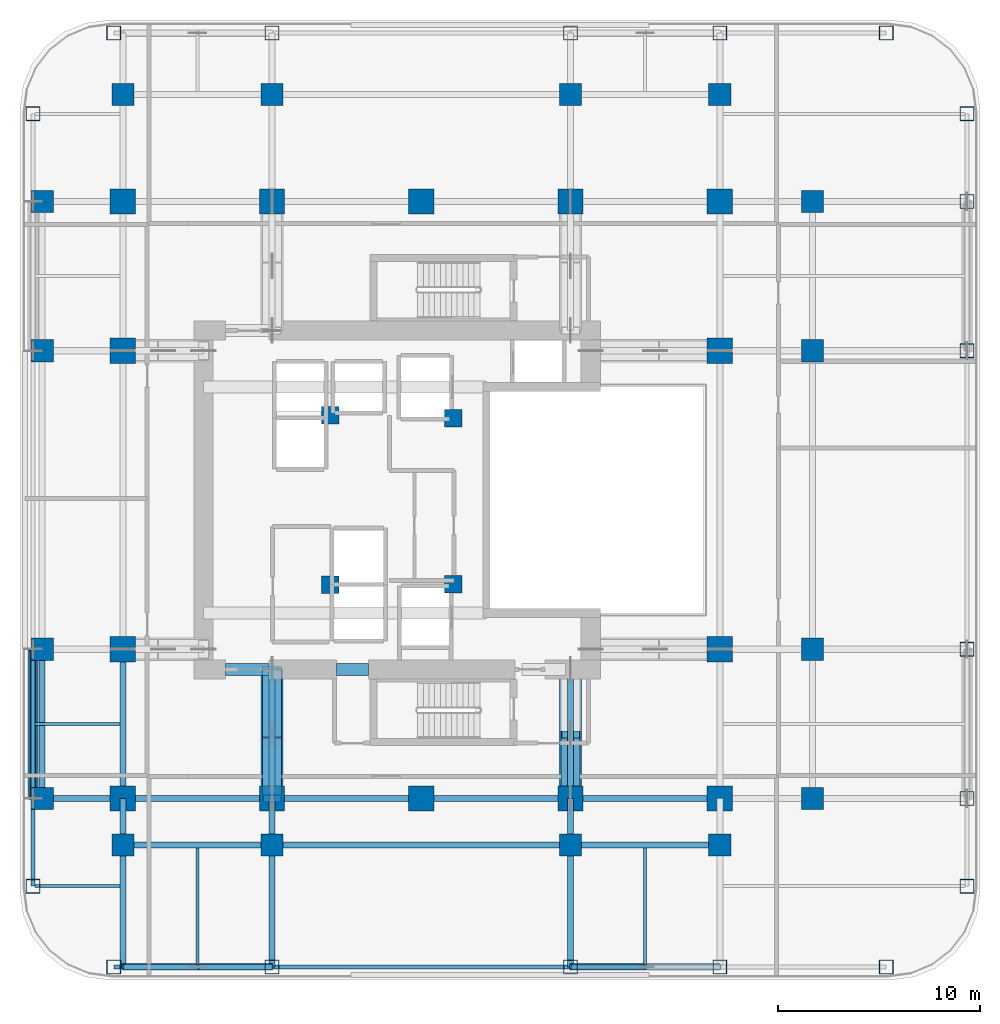
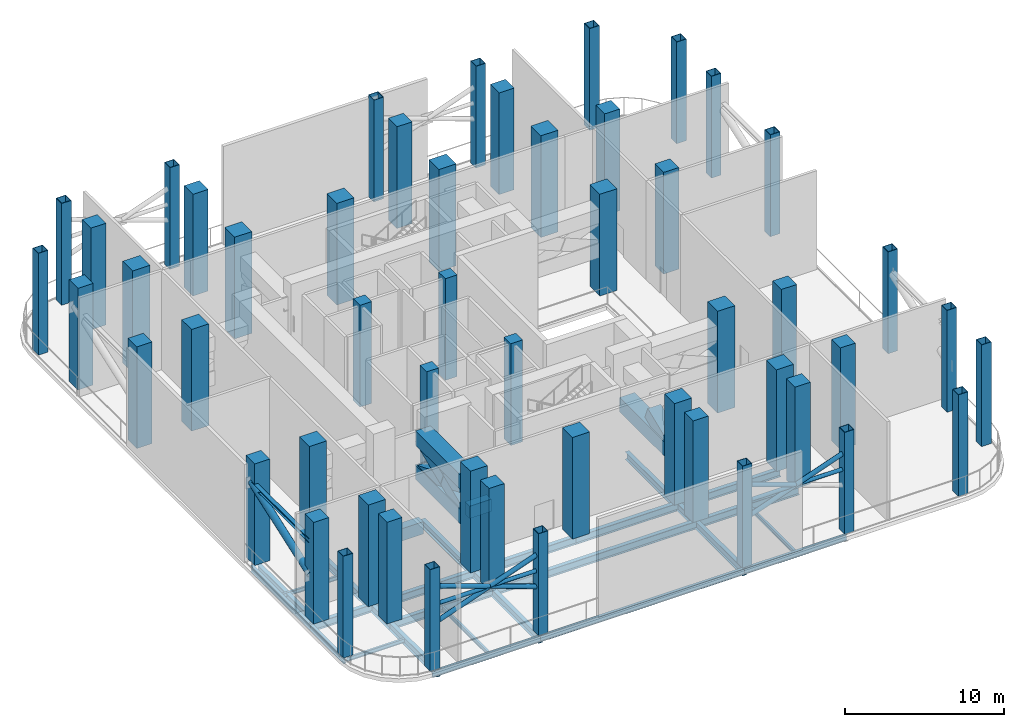
# One storey, part 1 of 10: 52 columns, 29 beams, 16 members.
"""IFC4 building model written with IfcOpenShell, lengths in metres."""

from ifc_helpers import new_model, si_unit, direction, frame, origin, origin_2d, place, context, subcontext, project, spatial, rectangle, hollow_rectangle, hollow_circle, i_section, extrude, material, material_profile, profile_set, type_object, element, save


model = new_model("IFC4")

# Units and contexts
model_context = context("Model", 3, precision=1e-05, world=origin(), true_north=direction((0.0, 1.0)))
body_context = subcontext(model_context, "Body", "Model", "MODEL_VIEW")
ifc_project = project(units=[si_unit("LENGTHUNIT", "METRE"), si_unit("AREAUNIT", "SQUARE_METRE"), si_unit("VOLUMEUNIT", "CUBIC_METRE"), si_unit("PLANEANGLEUNIT", "RADIAN"), si_unit("MASSUNIT", "GRAM", prefix="KILO")], contexts=[model_context])

# Site, building, storey
site_placement = place(None, origin())
site = spatial("IfcSite", under=ifc_project, at=site_placement, CompositionType="ELEMENT")
building_placement = place(site_placement, origin())
building = spatial("IfcBuilding", under=site, at=building_placement, Name="Khorvyn Point Tower", CompositionType="ELEMENT")
storey_placement = place(building_placement, frame((0.0, 0.0, 156.300048828125)))
storey = spatial("IfcBuildingStorey", under=building, at=storey_placement, Name="L39", CompositionType="ELEMENT", Elevation=156.300048828125)

# Columns
ifc_material_1 = material(Name="Concrete C40/50", Category="concrete")
ifc_material_profile_1 = material_profile(ifc_material_1, rectangle(XDim=0.85009765625, YDim=0.85009765625, at=origin_2d()))
ifc_profile_set_1 = profile_set([ifc_material_profile_1], Name="Concrete C40/50 RC850x850")
column_type_1 = type_object("IfcColumnType", Name="Concrete C40/50 Column RC850x850", PredefinedType="COLUMN", material=ifc_profile_set_1)
for number, where, z_axis, x_axis, name in (
    (1, (-4.52001953125, -4.199951171875, 0.0), (0.0, 0.0, 1.0), (1.0, 0.0, 0.0), "L39 Crown Core Spine Column 1"),
    (2, (1.580078125, -4.179931640625, 0.0), (0.0, 0.0, 1.0), (1.0, 0.0, 0.0), "L39 Crown Core Spine Column 2"),
    (3, (1.580078125, 4.050048828125, 0.0), (0.0, 0.0, 1.0), (1.0, 0.0, 0.0), "L39 Crown Core Spine Column 3"),
    (4, (-4.52001953125, 4.199951171875, 0.0), (0.0, 0.0, 1.0), (1.0, 0.0, 0.0), "L39 Crown Core Spine Column 4"),
):
    element("IfcColumn", number, at=place(storey_placement, frame(where, z_axis=z_axis, x_axis=x_axis)), inside=storey, type_object=column_type_1, Name=name, PredefinedType="COLUMN", context=body_context, shape_type="SweptSolid", body=[
        extrude(rectangle(XDim=0.85009765625, YDim=0.85009765625, at=origin_2d()), origin(), (0.0, 0.0, 1.0), 7.800048828125),
    ])
ifc_material_2 = material(Name="Concrete C45/55", Category="concrete")
ifc_material_profile_2 = material_profile(ifc_material_2, rectangle(XDim=1.10009765625, YDim=1.10009765625, at=origin_2d()))
ifc_profile_set_2 = profile_set([ifc_material_profile_2], Name="Concrete C45/55 RC1100x1100")
column_type_2 = type_object("IfcColumnType", Name="Concrete C45/55 Column RC1100x1100", PredefinedType="COLUMN", material=ifc_profile_set_2)
for number, where, z_axis, x_axis, name in (
    (5, (-18.800048828125, -14.800048828125, 0.0), (0.0, 0.0, 1.0), (1.0, 0.0, 0.0), "L39 Intermediate Column ICW--14"),
    (6, (-18.800048828125, -7.39990234375, 0.0), (0.0, 0.0, 1.0), (1.0, 0.0, 0.0), "L39 Intermediate Column ICW--7"),
    (7, (-18.800048828125, 7.39990234375, 0.0), (0.0, 0.0, 1.0), (1.0, 0.0, 0.0), "L39 Intermediate Column ICW-7"),
    (8, (-18.800048828125, 14.800048828125, 0.0), (0.0, 0.0, 1.0), (1.0, 0.0, 0.0), "L39 Intermediate Column ICW-14"),
    (9, (19.39990234375, -14.800048828125, 0.0), (0.0, 0.0, 1.0), (1.0, 0.0, 0.0), "L39 Intermediate Column ICE--14"),
    (10, (19.39990234375, -7.39990234375, 0.0), (0.0, 0.0, 1.0), (1.0, 0.0, 0.0), "L39 Intermediate Column ICE--7"),
    (11, (19.39990234375, 7.39990234375, 0.0), (0.0, 0.0, 1.0), (1.0, 0.0, 0.0), "L39 Intermediate Column ICE-7"),
    (12, (19.39990234375, 14.800048828125, 0.0), (0.0, 0.0, 1.0), (1.0, 0.0, 0.0), "L39 Intermediate Column ICE-14"),
    (13, (-14.800048828125, -17.10009765625, 0.0), (0.0, 0.0, 1.0), (1.0, 0.0, 0.0), "L39 Intermediate Column ICS--14"),
    (14, (-7.39990234375, -17.10009765625, 0.0), (0.0, 0.0, 1.0), (1.0, 0.0, 0.0), "L39 Intermediate Column ICS--7"),
    (15, (7.39990234375, -17.10009765625, 0.0), (0.0, 0.0, 1.0), (1.0, 0.0, 0.0), "L39 Intermediate Column ICS-7"),
    (16, (14.800048828125, -17.10009765625, 0.0), (0.0, 0.0, 1.0), (1.0, 0.0, 0.0), "L39 Intermediate Column ICS-14"),
    (17, (-14.800048828125, 20.10009765625, 0.0), (0.0, 0.0, 1.0), (1.0, 0.0, 0.0), "L39 Intermediate Column ICN--14"),
    (18, (-7.39990234375, 20.10009765625, 0.0), (0.0, 0.0, 1.0), (1.0, 0.0, 0.0), "L39 Intermediate Column ICN--7"),
    (19, (7.39990234375, 20.10009765625, 0.0), (0.0, 0.0, 1.0), (1.0, 0.0, 0.0), "L39 Intermediate Column ICN-7"),
    (20, (14.800048828125, 20.10009765625, 0.0), (0.0, 0.0, 1.0), (1.0, 0.0, 0.0), "L39 Intermediate Column ICN-14"),
):
    element("IfcColumn", number, at=place(storey_placement, frame(where, z_axis=z_axis, x_axis=x_axis)), inside=storey, type_object=column_type_2, Name=name, PredefinedType="COLUMN", context=body_context, shape_type="SweptSolid", body=[
        extrude(rectangle(XDim=1.10009765625, YDim=1.10009765625, at=origin_2d()), origin(), (0.0, 0.0, 1.0), 7.800048828125),
    ])
ifc_material_3 = material(Name="Concrete C50/60", Category="concrete")
ifc_material_profile_3 = material_profile(ifc_material_3, rectangle(XDim=1.25, YDim=1.25, at=origin_2d()))
ifc_profile_set_3 = profile_set([ifc_material_profile_3], Name="Concrete C50/60 RC1250x1250")
column_type_3 = type_object("IfcColumnType", Name="Concrete C50/60 Column RC1250x1250", PredefinedType="COLUMN", material=ifc_profile_set_3)
for number, where, z_axis, x_axis, name in (
    (21, (-14.800048828125, -14.800048828125, 0.0), (0.0, 0.0, 1.0), (1.0, 0.0, 0.0), "L39 Mega-Column MC-01"),
    (22, (-7.39990234375, -14.800048828125, 0.0), (0.0, 0.0, 1.0), (1.0, 0.0, 0.0), "L39 Mega-Column MC-02"),
    (23, (0.0, -14.800048828125, 0.0), (0.0, 0.0, 1.0), (1.0, 0.0, 0.0), "L39 Mega-Column MC-03"),
    (24, (7.39990234375, -14.800048828125, 0.0), (0.0, 0.0, 1.0), (1.0, 0.0, 0.0), "L39 Mega-Column MC-04"),
    (25, (14.800048828125, -14.800048828125, 0.0), (0.0, 0.0, 1.0), (1.0, 0.0, 0.0), "L39 Mega-Column MC-05"),
    (26, (-14.800048828125, 14.800048828125, 0.0), (0.0, 0.0, 1.0), (1.0, 0.0, 0.0), "L39 Mega-Column MC-06"),
    (27, (-7.39990234375, 14.800048828125, 0.0), (0.0, 0.0, 1.0), (1.0, 0.0, 0.0), "L39 Mega-Column MC-07"),
    (28, (0.0, 14.800048828125, 0.0), (0.0, 0.0, 1.0), (1.0, 0.0, 0.0), "L39 Mega-Column MC-08"),
    (29, (7.39990234375, 14.800048828125, 0.0), (0.0, 0.0, 1.0), (1.0, 0.0, 0.0), "L39 Mega-Column MC-09"),
    (30, (14.800048828125, 14.800048828125, 0.0), (0.0, 0.0, 1.0), (1.0, 0.0, 0.0), "L39 Mega-Column MC-10"),
    (31, (-14.800048828125, -7.39990234375, 0.0), (0.0, 0.0, 1.0), (1.0, 0.0, 0.0), "L39 Mega-Column MC-11"),
    (32, (-14.800048828125, 7.39990234375, 0.0), (0.0, 0.0, 1.0), (1.0, 0.0, 0.0), "L39 Mega-Column MC-12"),
    (33, (14.800048828125, -7.39990234375, 0.0), (0.0, 0.0, 1.0), (1.0, 0.0, 0.0), "L39 Mega-Column MC-13"),
    (34, (14.800048828125, 7.39990234375, 0.0), (0.0, 0.0, 1.0), (1.0, 0.0, 0.0), "L39 Mega-Column MC-14"),
):
    element("IfcColumn", number, at=place(storey_placement, frame(where, z_axis=z_axis, x_axis=x_axis)), inside=storey, type_object=column_type_3, Name=name, PredefinedType="COLUMN", context=body_context, shape_type="SweptSolid", body=[
        extrude(rectangle(XDim=1.25, YDim=1.25, at=origin_2d()), origin(), (0.0, 0.0, 1.0), 7.800048828125),
    ])
ifc_material_4 = material(Name="Steel S450", Category="steel")
ifc_material_profile_4 = material_profile(ifc_material_4, hollow_rectangle(XDim=0.699951171875, YDim=0.699951171875, WallThickness=0.031982421875, at=origin_2d()))
ifc_profile_set_4 = profile_set([ifc_material_profile_4], Name="Steel S450 BOX700x700x32")
column_type_4 = type_object("IfcColumnType", Name="Steel S450 Structural Column BOX700x700x32", PredefinedType="COLUMN", material=ifc_profile_set_4)
for number, where, z_axis, x_axis, name in (
    (35, (-15.25, -23.14990234375, 0.0), (0.0, 0.0, 1.0), (1.0, 0.0, 0.0), "L39 Perimeter Tube Column TC-01"),
    (36, (23.050048828125, -23.14990234375, 0.0), (0.0, 0.0, 1.0), (1.0, 0.0, 0.0), "L39 Perimeter Tube Column TC-02"),
    (37, (-15.25, 23.14990234375, 0.0), (0.0, 0.0, 1.0), (1.0, 0.0, 0.0), "L39 Perimeter Tube Column TC-03"),
    (38, (23.050048828125, 23.14990234375, 0.0), (0.0, 0.0, 1.0), (1.0, 0.0, 0.0), "L39 Perimeter Tube Column TC-04"),
    (39, (-19.25, -19.14990234375, 0.0), (0.0, 0.0, 1.0), (1.0, 0.0, 0.0), "L39 Perimeter Tube Column TC-05"),
    (40, (-19.25, 19.14990234375, 0.0), (0.0, 0.0, 1.0), (1.0, 0.0, 0.0), "L39 Perimeter Tube Column TC-06"),
    (41, (27.050048828125, -19.14990234375, 0.0), (0.0, 0.0, 1.0), (1.0, 0.0, 0.0), "L39 Perimeter Tube Column TC-07"),
    (42, (27.050048828125, 19.14990234375, 0.0), (0.0, 0.0, 1.0), (1.0, 0.0, 0.0), "L39 Perimeter Tube Column TC-08"),
    (43, (-7.39990234375, -23.14990234375, 0.0), (0.0, 0.0, 1.0), (1.0, 0.0, 0.0), "L39 Perimeter Tube Column TC-09"),
    (44, (-7.39990234375, 23.14990234375, 0.0), (0.0, 0.0, 1.0), (1.0, 0.0, 0.0), "L39 Perimeter Tube Column TC-10"),
    (45, (7.39990234375, -23.14990234375, 0.0), (0.0, 0.0, 1.0), (1.0, 0.0, 0.0), "L39 Perimeter Tube Column TC-11"),
    (46, (7.39990234375, 23.14990234375, 0.0), (0.0, 0.0, 1.0), (1.0, 0.0, 0.0), "L39 Perimeter Tube Column TC-12"),
    (47, (14.800048828125, -23.14990234375, 0.0), (0.0, 0.0, 1.0), (1.0, 0.0, 0.0), "L39 Perimeter Tube Column TC-13"),
    (48, (14.800048828125, 23.14990234375, 0.0), (0.0, 0.0, 1.0), (1.0, 0.0, 0.0), "L39 Perimeter Tube Column TC-14"),
    (49, (27.050048828125, -14.800048828125, 0.0), (0.0, 0.0, 1.0), (1.0, 0.0, 0.0), "L39 Perimeter Tube Column TC-15"),
    (50, (27.050048828125, -7.39990234375, 0.0), (0.0, 0.0, 1.0), (1.0, 0.0, 0.0), "L39 Perimeter Tube Column TC-16"),
    (51, (27.050048828125, 7.39990234375, 0.0), (0.0, 0.0, 1.0), (1.0, 0.0, 0.0), "L39 Perimeter Tube Column TC-17"),
    (52, (27.050048828125, 14.800048828125, 0.0), (0.0, 0.0, 1.0), (1.0, 0.0, 0.0), "L39 Perimeter Tube Column TC-18"),
):
    element("IfcColumn", number, at=place(storey_placement, frame(where, z_axis=z_axis, x_axis=x_axis)), inside=storey, type_object=column_type_4, Name=name, PredefinedType="COLUMN", context=body_context, shape_type="SweptSolid", body=[
        extrude(hollow_rectangle(XDim=0.699951171875, YDim=0.699951171875, WallThickness=0.031982421875, at=origin_2d()), origin(), (0.0, 0.0, 1.0), 7.800048828125),
    ])

# Beams
ifc_material_profile_5 = material_profile(ifc_material_3, rectangle(XDim=0.60009765625, YDim=0.949951171875, at=origin_2d()))
ifc_profile_set_5 = profile_set([ifc_material_profile_5], Name="Concrete C50/60 RC600x950")
beam_type_1 = type_object("IfcBeamType", Name="Concrete C50/60 Beam RC600x950", PredefinedType="BEAM", material=ifc_profile_set_5)
beam_1_placement = place(storey_placement, frame((-9.699951171875, -8.39990234375, -0.775146484375), z_axis=(1.0, 0.0, 0.0), x_axis=(0.0, 1.0, 0.0)))
element("IfcBeam", 53, at=beam_1_placement, inside=storey, type_object=beam_type_1, Name="L39 Core Southwest Portal Coupling Beam", PredefinedType="BEAM", context=body_context, shape_type="SweptSolid", body=[
    extrude(rectangle(XDim=0.60009765625, YDim=0.949951171875, at=origin_2d()), origin(), (0.0, 0.0, 1.0), 2.14990234375),
])
beam_2_placement = place(storey_placement, frame((-4.199951171875, -8.39990234375, -0.775146484375), z_axis=(1.0, 0.0, 0.0), x_axis=(0.0, 1.0, 0.0)))
element("IfcBeam", 54, at=beam_2_placement, inside=storey, type_object=beam_type_1, Name="L39 Core Shuttle Portal Coupling Beam", PredefinedType="BEAM", context=body_context, shape_type="SweptSolid", body=[
    extrude(rectangle(XDim=0.60009765625, YDim=0.949951171875, at=origin_2d()), origin(), (0.0, 0.0, 1.0), 1.579833984375),
])
ifc_material_5 = material(Name="Steel S355", Category="steel")
ifc_material_profile_6 = material_profile(ifc_material_5, i_section(OverallWidth=0.300048828125, OverallDepth=0.587890625, WebThickness=0.011962890625, FlangeThickness=0.02001953125, at=origin_2d()))
ifc_profile_set_6 = profile_set([ifc_material_profile_6], Name="Steel S355 H588x300x12x20")
beam_type_2 = type_object("IfcBeamType", Name="Steel S355 Beam H588x300x12x20", PredefinedType="BEAM", material=ifc_profile_set_6)
beam_3_placement = place(storey_placement, frame((-19.25, -14.800048828125, -0.593994140625), z_axis=(1.0, 0.0, 0.0), x_axis=(0.0, 1.0, 0.0)))
element("IfcBeam", 55, at=beam_3_placement, inside=storey, type_object=beam_type_2, Name="Beam", PredefinedType="BEAM", context=body_context, shape_type="SweptSolid", body=[
    extrude(i_section(OverallWidth=0.300048828125, OverallDepth=0.587890625, WebThickness=0.011962890625, FlangeThickness=0.02001953125, at=origin_2d()), origin(), (0.0, 0.0, 1.0), 4.449951171875),
])
beam_4_placement = place(storey_placement, frame((-14.800048828125, -14.800048828125, -0.593994140625), z_axis=(1.0, 0.0, 0.0), x_axis=(0.0, 1.0, 0.0)))
element("IfcBeam", 56, at=beam_4_placement, inside=storey, type_object=beam_type_2, Name="Beam", PredefinedType="BEAM", context=body_context, shape_type="SweptSolid", body=[
    extrude(i_section(OverallWidth=0.300048828125, OverallDepth=0.587890625, WebThickness=0.011962890625, FlangeThickness=0.02001953125, at=origin_2d()), origin(), (0.0, 0.0, 1.0), 7.400146484375),
])
for number, where, z_axis, x_axis, name in (
    (57, (-7.39990234375, -14.800048828125, -0.593994140625), (1.0, 0.0, 0.0), (0.0, 1.0, 0.0), "Beam"),
    (58, (0.0, -14.800048828125, -0.593994140625), (1.0, 0.0, 0.0), (0.0, 1.0, 0.0), "Beam"),
):
    element("IfcBeam", number, at=place(storey_placement, frame(where, z_axis=z_axis, x_axis=x_axis)), inside=storey, type_object=beam_type_2, Name=name, PredefinedType="BEAM", context=body_context, shape_type="SweptSolid", body=[
        extrude(i_section(OverallWidth=0.300048828125, OverallDepth=0.587890625, WebThickness=0.011962890625, FlangeThickness=0.02001953125, at=origin_2d()), origin(), (0.0, 0.0, 1.0), 7.39990234375),
    ])
for number, where, z_axis, x_axis, name in (
    (59, (7.39990234375, -14.800048828125, -0.593994140625), (1.0, 0.0, 0.0), (0.0, 1.0, 0.0), "Beam"),
    (60, (-14.800048828125, -17.10009765625, -0.593994140625), (1.0, 0.0, 0.0), (0.0, 1.0, 0.0), "Beam"),
):
    element("IfcBeam", number, at=place(storey_placement, frame(where, z_axis=z_axis, x_axis=x_axis)), inside=storey, type_object=beam_type_2, Name=name, PredefinedType="BEAM", context=body_context, shape_type="SweptSolid", body=[
        extrude(i_section(OverallWidth=0.300048828125, OverallDepth=0.587890625, WebThickness=0.011962890625, FlangeThickness=0.02001953125, at=origin_2d()), origin(), (0.0, 0.0, 1.0), 7.400146484375),
    ])
beam_5_placement = place(storey_placement, frame((-7.39990234375, -17.10009765625, -0.593994140625), z_axis=(1.0, 0.0, 0.0), x_axis=(0.0, 1.0, 0.0)))
element("IfcBeam", 61, at=beam_5_placement, inside=storey, type_object=beam_type_2, Name="Beam", PredefinedType="BEAM", context=body_context, shape_type="SweptSolid", body=[
    extrude(i_section(OverallWidth=0.300048828125, OverallDepth=0.587890625, WebThickness=0.011962890625, FlangeThickness=0.02001953125, at=origin_2d()), origin(), (0.0, 0.0, 1.0), 14.7998046875),
])
beam_6_placement = place(storey_placement, frame((7.39990234375, -17.10009765625, -0.593994140625), z_axis=(1.0, 0.0, 0.0), x_axis=(0.0, 1.0, 0.0)))
element("IfcBeam", 62, at=beam_6_placement, inside=storey, type_object=beam_type_2, Name="Beam", PredefinedType="BEAM", context=body_context, shape_type="SweptSolid", body=[
    extrude(i_section(OverallWidth=0.300048828125, OverallDepth=0.587890625, WebThickness=0.011962890625, FlangeThickness=0.02001953125, at=origin_2d()), origin(), (0.0, 0.0, 1.0), 7.400146484375),
])
beam_7_placement = place(storey_placement, frame((-14.800048828125, -23.14990234375, -0.593994140625), z_axis=(0.0, 1.0, 0.0), x_axis=(-1.0, 0.0, 0.0)))
element("IfcBeam", 63, at=beam_7_placement, inside=storey, type_object=beam_type_2, Name="Beam", PredefinedType="BEAM", context=body_context, shape_type="SweptSolid", body=[
    extrude(i_section(OverallWidth=0.300048828125, OverallDepth=0.587890625, WebThickness=0.011962890625, FlangeThickness=0.02001953125, at=origin_2d()), origin(), (0.0, 0.0, 1.0), 6.0498046875),
])
beam_8_placement = place(storey_placement, frame((-14.800048828125, -17.10009765625, -0.593994140625), z_axis=(0.0, 1.0, 0.0), x_axis=(-1.0, 0.0, 0.0)))
element("IfcBeam", 64, at=beam_8_placement, inside=storey, type_object=beam_type_2, Name="Beam", PredefinedType="BEAM", context=body_context, shape_type="SweptSolid", body=[
    extrude(i_section(OverallWidth=0.300048828125, OverallDepth=0.587890625, WebThickness=0.011962890625, FlangeThickness=0.02001953125, at=origin_2d()), origin(), (0.0, 0.0, 1.0), 2.300048828125),
])
beam_9_placement = place(storey_placement, frame((-14.800048828125, -14.800048828125, -0.593994140625), z_axis=(0.0, 1.0, 0.0), x_axis=(-1.0, 0.0, 0.0)))
element("IfcBeam", 65, at=beam_9_placement, inside=storey, type_object=beam_type_2, Name="Beam", PredefinedType="BEAM", context=body_context, shape_type="SweptSolid", body=[
    extrude(i_section(OverallWidth=0.300048828125, OverallDepth=0.587890625, WebThickness=0.011962890625, FlangeThickness=0.02001953125, at=origin_2d()), origin(), (0.0, 0.0, 1.0), 7.400146484375),
])
beam_10_placement = place(storey_placement, frame((-7.39990234375, -23.14990234375, -0.593994140625), z_axis=(0.0, 1.0, 0.0), x_axis=(-1.0, 0.0, 0.0)))
element("IfcBeam", 66, at=beam_10_placement, inside=storey, type_object=beam_type_2, Name="Beam", PredefinedType="BEAM", context=body_context, shape_type="SweptSolid", body=[
    extrude(i_section(OverallWidth=0.300048828125, OverallDepth=0.587890625, WebThickness=0.011962890625, FlangeThickness=0.02001953125, at=origin_2d()), origin(), (0.0, 0.0, 1.0), 6.0498046875),
])
beam_11_placement = place(storey_placement, frame((-7.39990234375, -17.10009765625, -0.593994140625), z_axis=(0.0, 1.0, 0.0), x_axis=(-1.0, 0.0, 0.0)))
element("IfcBeam", 67, at=beam_11_placement, inside=storey, type_object=beam_type_2, Name="Beam", PredefinedType="BEAM", context=body_context, shape_type="SweptSolid", body=[
    extrude(i_section(OverallWidth=0.300048828125, OverallDepth=0.587890625, WebThickness=0.011962890625, FlangeThickness=0.02001953125, at=origin_2d()), origin(), (0.0, 0.0, 1.0), 2.300048828125),
])
beam_12_placement = place(storey_placement, frame((-7.39990234375, -14.800048828125, -0.593994140625), z_axis=(0.0, 1.0, 0.0), x_axis=(-1.0, 0.0, 0.0)))
element("IfcBeam", 68, at=beam_12_placement, inside=storey, type_object=beam_type_2, Name="Beam", PredefinedType="BEAM", context=body_context, shape_type="SweptSolid", body=[
    extrude(i_section(OverallWidth=0.300048828125, OverallDepth=0.587890625, WebThickness=0.011962890625, FlangeThickness=0.02001953125, at=origin_2d()), origin(), (0.0, 0.0, 1.0), 6.400146484375),
])
beam_13_placement = place(storey_placement, frame((7.39990234375, -23.14990234375, -0.593994140625), z_axis=(0.0, 1.0, 0.0), x_axis=(-1.0, 0.0, 0.0)))
element("IfcBeam", 69, at=beam_13_placement, inside=storey, type_object=beam_type_2, Name="Beam", PredefinedType="BEAM", context=body_context, shape_type="SweptSolid", body=[
    extrude(i_section(OverallWidth=0.300048828125, OverallDepth=0.587890625, WebThickness=0.011962890625, FlangeThickness=0.02001953125, at=origin_2d()), origin(), (0.0, 0.0, 1.0), 6.0498046875),
])
beam_14_placement = place(storey_placement, frame((7.39990234375, -17.10009765625, -0.593994140625), z_axis=(0.0, 1.0, 0.0), x_axis=(-1.0, 0.0, 0.0)))
element("IfcBeam", 70, at=beam_14_placement, inside=storey, type_object=beam_type_2, Name="Beam", PredefinedType="BEAM", context=body_context, shape_type="SweptSolid", body=[
    extrude(i_section(OverallWidth=0.300048828125, OverallDepth=0.587890625, WebThickness=0.011962890625, FlangeThickness=0.02001953125, at=origin_2d()), origin(), (0.0, 0.0, 1.0), 2.300048828125),
])
beam_15_placement = place(storey_placement, frame((7.39990234375, -14.800048828125, -0.593994140625), z_axis=(0.0, 1.0, 0.0), x_axis=(-1.0, 0.0, 0.0)))
element("IfcBeam", 71, at=beam_15_placement, inside=storey, type_object=beam_type_2, Name="Beam", PredefinedType="BEAM", context=body_context, shape_type="SweptSolid", body=[
    extrude(i_section(OverallWidth=0.300048828125, OverallDepth=0.587890625, WebThickness=0.011962890625, FlangeThickness=0.02001953125, at=origin_2d()), origin(), (0.0, 0.0, 1.0), 6.400146484375),
])
beam_16_placement = place(storey_placement, frame((-18.800048828125, -14.800048828125, -0.593994140625), z_axis=(0.0, 1.0, 0.0), x_axis=(-1.0, 0.0, 0.0)))
element("IfcBeam", 72, at=beam_16_placement, inside=storey, type_object=beam_type_2, Name="Beam", PredefinedType="BEAM", context=body_context, shape_type="SweptSolid", body=[
    extrude(i_section(OverallWidth=0.300048828125, OverallDepth=0.587890625, WebThickness=0.011962890625, FlangeThickness=0.02001953125, at=origin_2d()), origin(), (0.0, 0.0, 1.0), 7.400146484375),
])
ifc_material_profile_7 = material_profile(ifc_material_5, i_section(OverallWidth=0.14990234375, OverallDepth=0.300048828125, WebThickness=0.006591796875, FlangeThickness=0.009033203125, at=origin_2d()))
ifc_profile_set_7 = profile_set([ifc_material_profile_7], Name="Steel S355 H300x150x6.5x9")
beam_type_3 = type_object("IfcBeamType", Name="Steel S355 Joist H300x150x6.5x9", PredefinedType="JOIST", material=ifc_profile_set_7)
beam_17_placement = place(storey_placement, frame((-19.14990234375, -11.10009765625, -0.449951171875), z_axis=(1.0, 0.0, 0.0), x_axis=(0.0, 1.0, 0.0)))
element("IfcBeam", 73, at=beam_17_placement, inside=storey, type_object=beam_type_3, Name="Beam", PredefinedType="JOIST", context=body_context, shape_type="SweptSolid", body=[
    extrude(i_section(OverallWidth=0.14990234375, OverallDepth=0.300048828125, WebThickness=0.006591796875, FlangeThickness=0.009033203125, at=origin_2d()), origin(), (0.0, 0.0, 1.0), 4.199951171875),
])
for number, where, z_axis, x_axis, name in (
    (74, (-11.10009765625, -23.050048828125, -0.449951171875), (0.0, 1.0, 0.0), (-1.0, 0.0, 0.0), "Beam"),
    (75, (11.10009765625, -23.050048828125, -0.449951171875), (0.0, 1.0, 0.0), (-1.0, 0.0, 0.0), "Beam"),
):
    element("IfcBeam", number, at=place(storey_placement, frame(where, z_axis=z_axis, x_axis=x_axis)), inside=storey, type_object=beam_type_3, Name=name, PredefinedType="JOIST", context=body_context, shape_type="SweptSolid", body=[
        extrude(i_section(OverallWidth=0.14990234375, OverallDepth=0.300048828125, WebThickness=0.006591796875, FlangeThickness=0.009033203125, at=origin_2d()), origin(), (0.0, 0.0, 1.0), 5.800048828125),
    ])
beam_18_placement = place(storey_placement, frame((-19.14990234375, -19.14990234375, -0.449951171875), z_axis=(1.0, 0.0, 0.0), x_axis=(0.0, 1.0, 0.0)))
element("IfcBeam", 76, at=beam_18_placement, inside=storey, type_object=beam_type_3, Name="Beam", PredefinedType="JOIST", context=body_context, shape_type="SweptSolid", body=[
    extrude(i_section(OverallWidth=0.14990234375, OverallDepth=0.300048828125, WebThickness=0.006591796875, FlangeThickness=0.009033203125, at=origin_2d()), origin(), (0.0, 0.0, 1.0), 4.199951171875),
])
ifc_material_profile_8 = material_profile(ifc_material_5, i_section(OverallWidth=0.199951171875, OverallDepth=0.449951171875, WebThickness=0.009033203125, FlangeThickness=0.013916015625, at=origin_2d()))
ifc_profile_set_8 = profile_set([ifc_material_profile_8], Name="Steel S355 H450x200x9x14")
beam_type_4 = type_object("IfcBeamType", Name="Steel S355 Spandrel H450x200x9x14", PredefinedType="SPANDREL", material=ifc_profile_set_8)
beam_19_placement = place(storey_placement, frame((-15.25, -23.14990234375, -0.525146484375), z_axis=(1.0, 0.0, 0.0), x_axis=(0.0, 1.0, 0.0)))
element("IfcBeam", 77, at=beam_19_placement, inside=storey, type_object=beam_type_4, Name="Beam", PredefinedType="SPANDREL", context=body_context, shape_type="SweptSolid", body=[
    extrude(i_section(OverallWidth=0.199951171875, OverallDepth=0.449951171875, WebThickness=0.009033203125, FlangeThickness=0.013916015625, at=origin_2d()), origin(), (0.0, 0.0, 1.0), 7.85009765625),
])
beam_20_placement = place(storey_placement, frame((-7.39990234375, -23.14990234375, -0.525146484375), z_axis=(1.0, 0.0, 0.0), x_axis=(0.0, 1.0, 0.0)))
element("IfcBeam", 78, at=beam_20_placement, inside=storey, type_object=beam_type_4, Name="Beam", PredefinedType="SPANDREL", context=body_context, shape_type="SweptSolid", body=[
    extrude(i_section(OverallWidth=0.199951171875, OverallDepth=0.449951171875, WebThickness=0.009033203125, FlangeThickness=0.013916015625, at=origin_2d()), origin(), (0.0, 0.0, 1.0), 14.7998046875),
])
beam_21_placement = place(storey_placement, frame((7.39990234375, -23.14990234375, -0.525146484375), z_axis=(1.0, 0.0, 0.0), x_axis=(0.0, 1.0, 0.0)))
element("IfcBeam", 79, at=beam_21_placement, inside=storey, type_object=beam_type_4, Name="Beam", PredefinedType="SPANDREL", context=body_context, shape_type="SweptSolid", body=[
    extrude(i_section(OverallWidth=0.199951171875, OverallDepth=0.449951171875, WebThickness=0.009033203125, FlangeThickness=0.013916015625, at=origin_2d()), origin(), (0.0, 0.0, 1.0), 7.400146484375),
])
beam_22_placement = place(storey_placement, frame((-19.25, -19.14990234375, -0.525146484375), z_axis=(0.0, 1.0, 0.0), x_axis=(-1.0, 0.0, 0.0)))
element("IfcBeam", 80, at=beam_22_placement, inside=storey, type_object=beam_type_4, Name="Beam", PredefinedType="SPANDREL", context=body_context, shape_type="SweptSolid", body=[
    extrude(i_section(OverallWidth=0.199951171875, OverallDepth=0.449951171875, WebThickness=0.009033203125, FlangeThickness=0.013916015625, at=origin_2d()), origin(), (0.0, 0.0, 1.0), 4.349853515625),
])
beam_23_placement = place(storey_placement, frame((-19.25, -14.800048828125, -0.525146484375), z_axis=(0.0, 1.0, 0.0), x_axis=(-1.0, 0.0, 0.0)))
element("IfcBeam", 81, at=beam_23_placement, inside=storey, type_object=beam_type_4, Name="Beam", PredefinedType="SPANDREL", context=body_context, shape_type="SweptSolid", body=[
    extrude(i_section(OverallWidth=0.199951171875, OverallDepth=0.449951171875, WebThickness=0.009033203125, FlangeThickness=0.013916015625, at=origin_2d()), origin(), (0.0, 0.0, 1.0), 7.400146484375),
])

# Members
ifc_material_profile_9 = material_profile(ifc_material_5, hollow_circle(Radius=0.161865234375, WallThickness=0.012451171875, at=origin_2d()))
ifc_profile_set_9 = profile_set([ifc_material_profile_9], Name="Steel S355 CHS323.9x12.5")
member_type_1 = type_object("IfcMemberType", Name="Steel S355 Truss Brace CHS323.9x12.5", PredefinedType="BRACE", material=ifc_profile_set_9)
member_1_placement = place(storey_placement, frame((-14.800048828125, -23.14990234375, 3.449951171875), z_axis=(0.942266140376, 0.0, 0.33486492904), x_axis=(0.0, 1.0, 0.0)))
element("IfcMember", 82, at=member_1_placement, inside=storey, type_object=member_type_1, Name="BT-BR1-L39-S1", PredefinedType="BRACE", context=body_context, shape_type="SweptSolid", body=[
    extrude(hollow_circle(Radius=0.161865234375, WallThickness=0.012451171875, at=origin_2d()), origin(), (0.0, 0.0, 1.0), 7.853515625),
])
member_2_placement = place(storey_placement, frame((-14.800048828125, -23.14990234375, 6.079833984375), z_axis=(0.942496380146, 0.0, -0.334216357187), x_axis=(0.0, 1.0, 0.0)))
element("IfcMember", 83, at=member_2_placement, inside=storey, type_object=member_type_1, Name="BT-BR2A-L39-S1", PredefinedType="BRACE", context=body_context, shape_type="SweptSolid", body=[
    extrude(hollow_circle(Radius=0.161865234375, WallThickness=0.012451171875, at=origin_2d()), origin(), (0.0, 0.0, 1.0), 3.904541015625),
])
member_3_placement = place(storey_placement, frame((-11.080078125, -23.14990234375, 4.7548828125), z_axis=(0.94250336403, 0.0, -0.334196661851), x_axis=(0.0, 1.0, 0.0)))
element("IfcMember", 84, at=member_3_placement, inside=storey, type_object=member_type_1, Name="BT-BR2B-L39-S1", PredefinedType="BRACE", context=body_context, shape_type="SweptSolid", body=[
    extrude(hollow_circle(Radius=0.161865234375, WallThickness=0.012451171875, at=origin_2d()), origin(), (0.0, 0.0, 1.0), 3.90478515625),
])
member_4_placement = place(storey_placement, frame((7.39990234375, -23.14990234375, 3.449951171875), z_axis=(0.942266140376, 0.0, 0.33486492904), x_axis=(0.0, 1.0, 0.0)))
element("IfcMember", 85, at=member_4_placement, inside=storey, type_object=member_type_1, Name="BT-BR1-L39-S2", PredefinedType="BRACE", context=body_context, shape_type="SweptSolid", body=[
    extrude(hollow_circle(Radius=0.161865234375, WallThickness=0.012451171875, at=origin_2d()), origin(), (0.0, 0.0, 1.0), 7.853515625),
])
member_5_placement = place(storey_placement, frame((7.39990234375, -23.14990234375, 6.079833984375), z_axis=(0.94250336403, 0.0, -0.334196661851), x_axis=(0.0, 1.0, 0.0)))
element("IfcMember", 86, at=member_5_placement, inside=storey, type_object=member_type_1, Name="BT-BR2A-L39-S2", PredefinedType="BRACE", context=body_context, shape_type="SweptSolid", body=[
    extrude(hollow_circle(Radius=0.161865234375, WallThickness=0.012451171875, at=origin_2d()), origin(), (0.0, 0.0, 1.0), 3.90478515625),
])
ifc_material_profile_10 = material_profile(ifc_material_5, hollow_circle(Radius=0.136474609375, WallThickness=0.010009765625, at=origin_2d()))
ifc_profile_set_10 = profile_set([ifc_material_profile_10], Name="Steel S355 CHS273x10")
member_type_2 = type_object("IfcMemberType", Name="Steel S355 Truss Chord CHS273x10", PredefinedType="CHORD", material=ifc_profile_set_10)
for number, where, z_axis, x_axis, name in (
    (87, (-14.800048828125, -23.14990234375, 4.764892578125), (1.0, 0.0, 0.0), (0.0, 1.0, 0.0), "L39 Belt Truss Chord"),
    (88, (7.39990234375, -23.14990234375, 4.764892578125), (1.0, 0.0, 0.0), (0.0, 1.0, 0.0), "L39 Belt Truss Chord"),
):
    element("IfcMember", number, at=place(storey_placement, frame(where, z_axis=z_axis, x_axis=x_axis)), inside=storey, type_object=member_type_2, Name=name, PredefinedType="CHORD", context=body_context, shape_type="SweptSolid", body=[
        extrude(hollow_circle(Radius=0.136474609375, WallThickness=0.010009765625, at=origin_2d()), origin(), (0.0, 0.0, 1.0), 7.400146484375),
    ])
ifc_material_profile_11 = material_profile(ifc_material_5, i_section(OverallWidth=0.300048828125, OverallDepth=0.300048828125, WebThickness=0.010009765625, FlangeThickness=0.014892578125, at=origin_2d()))
ifc_profile_set_11 = profile_set([ifc_material_profile_11], Name="Steel S355 H300x300x10x15")
member_type_3 = type_object("IfcMemberType", Name="Steel S355 Truss Chord H300x300x10x15", PredefinedType="CHORD", material=ifc_profile_set_11)
member_6_placement = place(storey_placement, frame((-19.25, -14.800048828125, 6.079833984375), z_axis=(0.0, 1.0, 0.0), x_axis=(-1.0, 0.0, 0.0)))
element("IfcMember", 89, at=member_6_placement, inside=storey, type_object=member_type_3, Name="EXO-CH1-L39-W1", PredefinedType="CHORD", context=body_context, shape_type="SweptSolid", body=[
    extrude(i_section(OverallWidth=0.300048828125, OverallDepth=0.300048828125, WebThickness=0.010009765625, FlangeThickness=0.014892578125, at=origin_2d()), origin(), (0.0, 0.0, 1.0), 7.400146484375),
])
ifc_material_profile_12 = material_profile(ifc_material_4, hollow_rectangle(XDim=0.949951171875, YDim=0.949951171875, WallThickness=0.0400390625, at=origin_2d()))
ifc_profile_set_12 = profile_set([ifc_material_profile_12], Name="Steel S450 BOX950x950x40")
member_type_4 = type_object("IfcMemberType", Name="Steel S450 Truss Brace BOX950x950x40", PredefinedType="BRACE", material=ifc_profile_set_12)
member_7_placement = place(storey_placement, frame((-7.39990234375, -8.39990234375, 3.449951171875), z_axis=(0.0, -0.924956256677, 0.38007357608), x_axis=(1.0, 0.0, 0.0)))
element("IfcMember", 90, at=member_7_placement, inside=storey, type_object=member_type_4, Name="OT-BR1-L39-SW", PredefinedType="BRACE", context=body_context, shape_type="SweptSolid", body=[
    extrude(hollow_rectangle(XDim=0.949951171875, YDim=0.949951171875, WallThickness=0.0400390625, at=origin_2d()), origin(), (0.0, 0.0, 1.0), 6.91943359375),
])
for number, where, z_axis, x_axis, name in (
    (91, (-7.39990234375, -8.39990234375, 6.079833984375), (0.0, -0.924953299929, -0.380080771613), (1.0, 0.0, 0.0), "OT-BR2A-L39-SW"),
    (92, (-7.39990234375, -11.625, 4.754638671875), (0.0, -0.924953299929, -0.380080771613), (1.0, 0.0, 0.0), "OT-BR2B-L39-SW"),
    (93, (7.39990234375, -11.625, 4.754638671875), (0.0, -0.924953299929, -0.380080771613), (1.0, 0.0, 0.0), "OT-BR2B-L39-SE"),
):
    element("IfcMember", number, at=place(storey_placement, frame(where, z_axis=z_axis, x_axis=x_axis)), inside=storey, type_object=member_type_4, Name=name, PredefinedType="BRACE", context=body_context, shape_type="SweptSolid", body=[
        extrude(hollow_rectangle(XDim=0.949951171875, YDim=0.949951171875, WallThickness=0.0400390625, at=origin_2d()), origin(), (0.0, 0.0, 1.0), 3.4326171875),
    ])
ifc_material_profile_13 = material_profile(ifc_material_4, hollow_circle(Radius=0.25390625, WallThickness=0.02001953125, at=origin_2d()))
ifc_profile_set_13 = profile_set([ifc_material_profile_13], Name="Steel S450 CHS508x20")
member_type_5 = type_object("IfcMemberType", Name="Steel S450 Truss Brace CHS508x20", PredefinedType="BRACE", material=ifc_profile_set_13)
member_8_placement = place(storey_placement, frame((-19.25, -14.800048828125, 3.449951171875), z_axis=(0.0, 0.942266140376, 0.33486492904), x_axis=(-1.0, 0.0, 0.0)))
element("IfcMember", 94, at=member_8_placement, inside=storey, type_object=member_type_5, Name="EXO-BR1-L39-W1", PredefinedType="BRACE", context=body_context, shape_type="SweptSolid", body=[
    extrude(hollow_circle(Radius=0.25390625, WallThickness=0.02001953125, at=origin_2d()), origin(), (0.0, 0.0, 1.0), 7.853515625),
])
ifc_material_profile_14 = material_profile(ifc_material_4, hollow_rectangle(XDim=1.10009765625, YDim=1.10009765625, WallThickness=0.044921875, at=origin_2d()))
ifc_profile_set_14 = profile_set([ifc_material_profile_14], Name="Steel S450 BOX1100x1100x45")
member_type_6 = type_object("IfcMemberType", Name="Steel S450 Truss Chord BOX1100x1100x45", PredefinedType="CHORD", material=ifc_profile_set_14)
for number, where, z_axis, x_axis, name in (
    (95, (-7.39990234375, -8.39990234375, 3.449951171875), (0.0, -1.0, 0.0), (1.0, 0.0, 0.0), "L39 Outrigger Truss Chord"),
    (96, (-7.39990234375, -8.39990234375, 6.079833984375), (0.0, -1.0, 0.0), (1.0, 0.0, 0.0), "L39 Outrigger Truss Chord"),
    (97, (7.39990234375, -8.39990234375, 3.449951171875), (0.0, -1.0, 0.0), (1.0, 0.0, 0.0), "L39 Outrigger Truss Chord"),
):
    element("IfcMember", number, at=place(storey_placement, frame(where, z_axis=z_axis, x_axis=x_axis)), inside=storey, type_object=member_type_6, Name=name, PredefinedType="CHORD", context=body_context, shape_type="SweptSolid", body=[
        extrude(hollow_rectangle(XDim=1.10009765625, YDim=1.10009765625, WallThickness=0.044921875, at=origin_2d()), origin(), (0.0, 0.0, 1.0), 6.400146484375),
    ])

save(model, "model.ifc")
